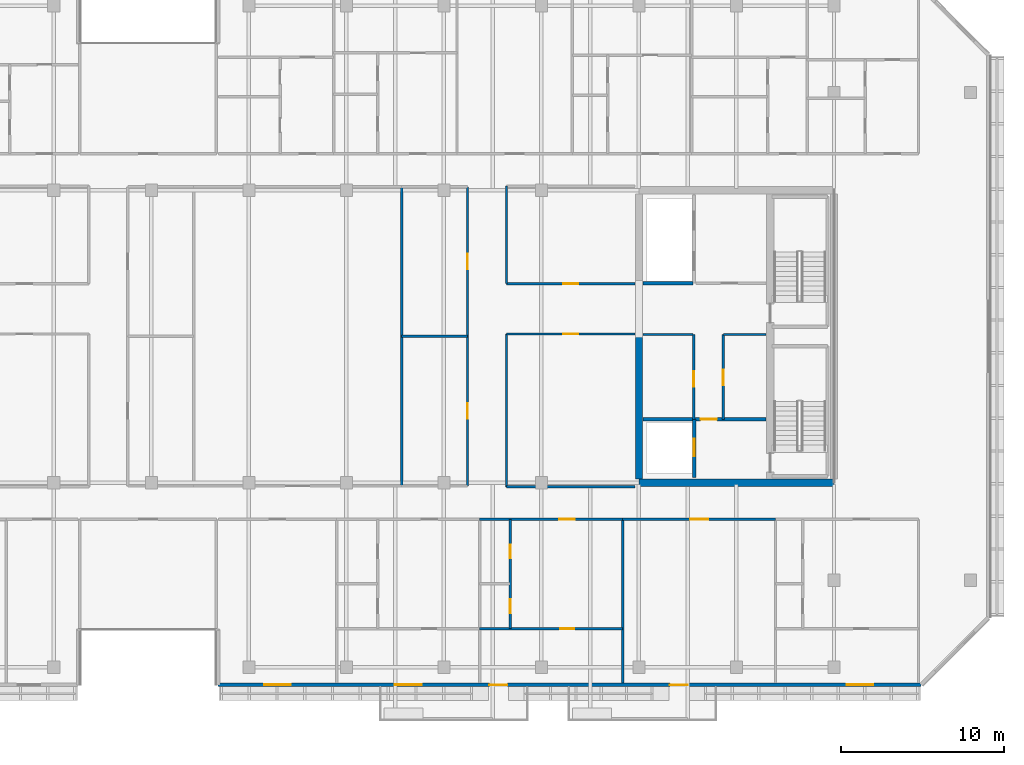
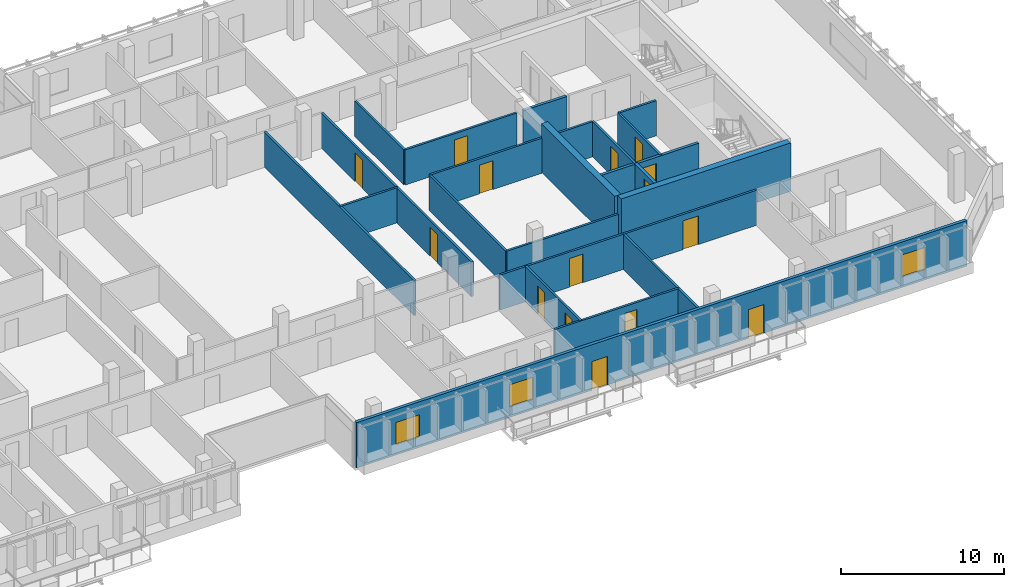
# One storey, part 8 of 17: 24 walls, 15 doors, 3 windows, 18 openings.
"""IFC4 building model written with IfcOpenShell, lengths in metres."""

from ifc_helpers import new_model, si_unit, direction, frame, frame_2d, origin, place, context, subcontext, project, spatial, rectangle, extrude, material, layer, layer_set, type_object, element, fill, save


model = new_model("IFC4")

# Units and contexts
model_context = context("Model", 3, precision=1e-05, world=origin(), true_north=direction((0.0, 1.0)))
body_context = subcontext(model_context, "Body", "Model", "MODEL_VIEW")
ifc_project = project(units=[si_unit("LENGTHUNIT", "METRE"), si_unit("AREAUNIT", "SQUARE_METRE"), si_unit("VOLUMEUNIT", "CUBIC_METRE"), si_unit("PLANEANGLEUNIT", "RADIAN"), si_unit("MASSUNIT", "GRAM", prefix="KILO")], contexts=[model_context])

# Site, building, storey
site_placement = place(None, origin())
site = spatial("IfcSite", under=ifc_project, at=site_placement, CompositionType="ELEMENT")
building_placement = place(site_placement, origin())
building = spatial("IfcBuilding", under=site, at=building_placement, Name="Tanjung Sevakor Pilgrim Tower", CompositionType="ELEMENT")
storey_placement = place(building_placement, frame((0.0, 0.0, 219.1201171875)))
storey = spatial("IfcBuildingStorey", under=building, at=storey_placement, Name="L61", CompositionType="ELEMENT", Elevation=219.1201171875)

# Walls
ifc_material_1 = material(Name="Concrete C60/75", Category="concrete")
ifc_layer_1 = layer(ifc_material_1, 0.449951171875)
ifc_layer_set_1 = layer_set([ifc_layer_1], Name="WALL-CW-450")
wall_type_1 = type_object("IfcWallType", Name="WALL-CW-450", PredefinedType="SHEAR", material=ifc_layer_set_1)
wall_1_placement = place(storey_placement, frame((78.0, 24.60009765625, 0.0), z_axis=(0.0, 0.0, 1.0), x_axis=(1.0, 0.0, 0.0)))
element("IfcWall", 1, at=wall_1_placement, inside=storey, type_object=wall_type_1, Name="L61 E Core South Shear Wall", PredefinedType="SHEAR", context=body_context, shape_type="SweptSolid", body=[
    extrude(rectangle(XDim=12.0, YDim=0.449951171875, at=frame_2d((6.0, 0.0))), origin(), (0.0, 0.0, 1.0), 3.6298828125),
])
wall_2_placement = place(storey_placement, frame((78.0, 24.824951171875, 0.0), z_axis=(0.0, 0.0, 1.0), x_axis=(0.0, 1.0, 0.0)))
element("IfcWall", 2, at=wall_2_placement, inside=storey, type_object=wall_type_1, Name="L61 E Core Inner Shear Wall South", PredefinedType="SHEAR", context=body_context, shape_type="SweptSolid", body=[
    extrude(rectangle(XDim=8.97509765625, YDim=0.449951171875, at=frame_2d((4.487548828125, 0.0))), origin(), (0.0, 0.0, 1.0), 3.6298828125),
])
ifc_material_2 = material(Name="Concrete C40/50", Category="concrete")
ifc_layer_2 = layer(ifc_material_2, 0.14990234375)
ifc_layer_set_2 = layer_set([ifc_layer_2], Name="WT-COMP-150")
wall_type_2 = type_object("IfcWallType", Name="WT-COMP-150", PredefinedType="SOLIDWALL", material=ifc_layer_set_2)
wall_3_placement = place(storey_placement, frame((83.199951171875, 33.719970703125, 0.0), z_axis=(0.0, 0.0, 1.0), x_axis=(1.0, 0.0, 0.0)))
element("IfcWall", 3, at=wall_3_placement, inside=storey, type_object=wall_type_2, Name="L61 Partition IW-L61-012", PredefinedType="SOLIDWALL", context=body_context, shape_type="SweptSolid", body=[
    extrude(rectangle(XDim=2.630126953125, YDim=0.14990234375, at=frame_2d((1.31494140625, 0.0))), origin(), (0.0, 0.0, 1.0), 2.6298828125),
])

# Wall, opening, door
wall_4_placement = place(storey_placement, frame((83.179931640625, 28.5, 0.0), z_axis=(0.0, 0.0, 1.0), x_axis=(0.0, 1.0, 0.0)))
wall_4 = element("IfcWall", 4, at=wall_4_placement, inside=storey, type_object=wall_type_2, Name="L61 Partition IW-L61-013", PredefinedType="SOLIDWALL", context=body_context, shape_type="SweptSolid", body=[
    extrude(rectangle(XDim=5.219970703125, YDim=0.14990234375, at=frame_2d((2.60986328125, 0.0))), origin(), (0.0, 0.0, 1.0), 2.6298828125),
])
opening_1_placement = place(wall_4_placement, frame((2.10009765625, 0.0, 0.0)))
opening_1 = element("IfcOpeningElement", 5, at=opening_1_placement, cuts=wall_4, Name="Opening ID-FD2", PredefinedType="OPENING", context=body_context, shape_type="SweptSolid", body=[
    extrude(rectangle(XDim=0.949951171875, YDim=2.14990234375, at=frame_2d((0.47509765625, 1.074951171875))), frame((0.0, 0.0849609375, 0.0), z_axis=(0.0, -1.0, 0.0), x_axis=(1.0, 0.0, 0.0)), (0.0, 0.0, 1.0), 0.169921875),
])
ifc_material_3 = material(Name="Fire-Rated Timber", Category="wood")
door_type_1 = type_object("IfcDoorType", Name="DT-FIRE-950", OperationType="NOTDEFINED", PredefinedType="DOOR", material=ifc_material_3)
door_1_placement = place(opening_1_placement, origin())
door_1 = element("IfcDoor", 6, at=door_1_placement, inside=storey, type_object=door_type_1, Name="L61 Housekeeping Pantry Door", OperationType="SINGLE_SWING_LEFT", OverallHeight=2.14990234375, OverallWidth=0.949951171875, PredefinedType="DOOR", context=body_context, shape_type="SweptSolid", body=[
    extrude(rectangle(XDim=0.949951171875, YDim=2.14990234375, at=frame_2d((0.47509765625, 1.074951171875))), frame((0.0, 0.02490234375, 0.0), z_axis=(0.0, -1.0, 0.0), x_axis=(1.0, 0.0, 0.0)), (0.0, 0.0, 1.0), 0.050048828125),
])
fill(opening_1, door_1)

# Wall
wall_5_placement = place(storey_placement, frame((78.2451171875, 33.719970703125, 0.0), z_axis=(0.0, 0.0, 1.0), x_axis=(1.0, 0.0, 0.0)))
element("IfcWall", 7, at=wall_5_placement, inside=storey, type_object=wall_type_2, Name="L61 Partition IW-L61-014", PredefinedType="SOLIDWALL", context=body_context, shape_type="SweptSolid", body=[
    extrude(rectangle(XDim=3.074951171875, YDim=0.14990234375, at=frame_2d((1.53759765625, 0.0))), origin(), (0.0, 0.0, 1.0), 2.6298828125),
])

# Wall, opening, door
wall_6_placement = place(storey_placement, frame((81.3798828125, 28.5, 0.0), z_axis=(0.0, 0.0, 1.0), x_axis=(0.0, 1.0, 0.0)))
wall_6 = element("IfcWall", 8, at=wall_6_placement, inside=storey, type_object=wall_type_2, Name="L61 Partition IW-L61-015", PredefinedType="SOLIDWALL", context=body_context, shape_type="SweptSolid", body=[
    extrude(rectangle(XDim=5.219970703125, YDim=0.14990234375, at=frame_2d((2.60986328125, 0.0))), origin(), (0.0, 0.0, 1.0), 2.6298828125),
])
opening_2_placement = place(wall_6_placement, frame((2.0, 0.0, 0.0)))
opening_2 = element("IfcOpeningElement", 9, at=opening_2_placement, cuts=wall_6, Name="Opening ID-FD2", PredefinedType="OPENING", context=body_context, shape_type="SweptSolid", body=[
    extrude(rectangle(XDim=0.949951171875, YDim=2.14990234375, at=frame_2d((0.47509765625, 1.074951171875))), frame((0.0, 0.0849609375, 0.0), z_axis=(0.0, -1.0, 0.0), x_axis=(1.0, 0.0, 0.0)), (0.0, 0.0, 1.0), 0.169921875),
])
door_2_placement = place(opening_2_placement, origin())
door_2 = element("IfcDoor", 10, at=door_2_placement, inside=storey, type_object=door_type_1, Name="L61 Accessible WC Door", OperationType="SINGLE_SWING_RIGHT", OverallHeight=2.14990234375, OverallWidth=0.949951171875, PredefinedType="DOOR", context=body_context, shape_type="SweptSolid", body=[
    extrude(rectangle(XDim=0.949951171875, YDim=2.14990234375, at=frame_2d((0.47509765625, 1.074951171875))), frame((0.0, 0.02490234375, 0.0), z_axis=(0.0, -1.0, 0.0), x_axis=(1.0, 0.0, 0.0)), (0.0, 0.0, 1.0), 0.050048828125),
])
fill(opening_2, door_2)

# Wall
wall_7_placement = place(storey_placement, frame((69.85009765625, 24.35009765625, 0.0), z_axis=(0.0, 0.0, 1.0), x_axis=(1.0, 0.0, 0.0)))
element("IfcWall", 11, at=wall_7_placement, inside=storey, type_object=wall_type_2, Name="L61 Partition IW-L61-025", PredefinedType="SOLIDWALL", context=body_context, shape_type="SweptSolid", body=[
    extrude(rectangle(XDim=7.90478515625, YDim=0.14990234375, at=frame_2d((3.952392578125, 0.0))), origin(), (0.0, 0.0, 1.0), 2.6298828125),
])

# Wall, opening, door
wall_8_placement = place(storey_placement, frame((69.85009765625, 33.75, 0.0), z_axis=(0.0, 0.0, 1.0), x_axis=(1.0, 0.0, 0.0)))
wall_8 = element("IfcWall", 12, at=wall_8_placement, inside=storey, type_object=wall_type_2, Name="L61 Partition IW-L61-026", PredefinedType="SOLIDWALL", context=body_context, shape_type="SweptSolid", body=[
    extrude(rectangle(XDim=7.90478515625, YDim=0.14990234375, at=frame_2d((3.952392578125, 0.0))), origin(), (0.0, 0.0, 1.0), 2.6298828125),
])
opening_3_placement = place(wall_8_placement, frame((3.4775390625, 0.0, 0.0)))
opening_3 = element("IfcOpeningElement", 13, at=opening_3_placement, cuts=wall_8, Name="Opening ID-RM1", PredefinedType="OPENING", context=body_context, shape_type="SweptSolid", body=[
    extrude(rectangle(XDim=0.949951171875, YDim=2.14990234375, at=frame_2d((0.47509765625, 1.074951171875))), frame((0.0, 0.0849609375, 0.0), z_axis=(0.0, -1.0, 0.0), x_axis=(1.0, 0.0, 0.0)), (0.0, 0.0, 1.0), 0.169921875),
])
ifc_material_4 = material(Name="Hardwood Timber", Category="wood")
door_type_2 = type_object("IfcDoorType", Name="DT-INT-950", OperationType="NOTDEFINED", PredefinedType="DOOR", material=ifc_material_4)
door_3_placement = place(opening_3_placement, origin())
door_3 = element("IfcDoor", 14, at=door_3_placement, inside=storey, type_object=door_type_2, Name="L61 East Inboard South Door", OperationType="SINGLE_SWING_RIGHT", OverallHeight=2.14990234375, OverallWidth=0.949951171875, PredefinedType="DOOR", context=body_context, shape_type="SweptSolid", body=[
    extrude(rectangle(XDim=0.949951171875, YDim=2.14990234375, at=frame_2d((0.47509765625, 1.074951171875))), frame((0.0, 0.02490234375, 0.0), z_axis=(0.0, -1.0, 0.0), x_axis=(1.0, 0.0, 0.0)), (0.0, 0.0, 1.0), 0.050048828125),
])
fill(opening_3, door_3)

# Wall
wall_9_placement = place(storey_placement, frame((69.85009765625, 24.35009765625, 0.0), z_axis=(0.0, 0.0, 1.0), x_axis=(0.0, 1.0, 0.0)))
element("IfcWall", 15, at=wall_9_placement, inside=storey, type_object=wall_type_2, Name="L61 Partition IW-L61-027", PredefinedType="SOLIDWALL", context=body_context, shape_type="SweptSolid", body=[
    extrude(rectangle(XDim=9.39990234375, YDim=0.14990234375, at=frame_2d((4.699951171875, 0.0))), origin(), (0.0, 0.0, 1.0), 2.6298828125),
])

# Wall, opening, door
wall_10_placement = place(storey_placement, frame((69.85009765625, 36.85009765625, 0.0), z_axis=(0.0, 0.0, 1.0), x_axis=(1.0, 0.0, 0.0)))
wall_10 = element("IfcWall", 16, at=wall_10_placement, inside=storey, type_object=wall_type_2, Name="L61 Partition IW-L61-028", PredefinedType="SOLIDWALL", context=body_context, shape_type="SweptSolid", body=[
    extrude(rectangle(XDim=7.90478515625, YDim=0.14990234375, at=frame_2d((3.952392578125, 0.0))), origin(), (0.0, 0.0, 1.0), 2.6298828125),
])
opening_4_placement = place(wall_10_placement, frame((3.4775390625, 0.0, 0.0)))
opening_4 = element("IfcOpeningElement", 17, at=opening_4_placement, cuts=wall_10, Name="Opening ID-RM1", PredefinedType="OPENING", context=body_context, shape_type="SweptSolid", body=[
    extrude(rectangle(XDim=0.949951171875, YDim=2.14990234375, at=frame_2d((0.47509765625, 1.074951171875))), frame((0.0, 0.0849609375, 0.0), z_axis=(0.0, -1.0, 0.0), x_axis=(1.0, 0.0, 0.0)), (0.0, 0.0, 1.0), 0.169921875),
])
door_4_placement = place(opening_4_placement, origin())
door_4 = element("IfcDoor", 18, at=door_4_placement, inside=storey, type_object=door_type_2, Name="L61 East Inboard North Door", OperationType="SINGLE_SWING_LEFT", OverallHeight=2.14990234375, OverallWidth=0.949951171875, PredefinedType="DOOR", context=body_context, shape_type="SweptSolid", body=[
    extrude(rectangle(XDim=0.949951171875, YDim=2.14990234375, at=frame_2d((0.47509765625, 1.074951171875))), frame((0.0, 0.02490234375, 0.0), z_axis=(0.0, -1.0, 0.0), x_axis=(1.0, 0.0, 0.0)), (0.0, 0.0, 1.0), 0.050048828125),
])
fill(opening_4, door_4)

# Walls
wall_11_placement = place(storey_placement, frame((69.85009765625, 36.85009765625, 0.0), z_axis=(0.0, 0.0, 1.0), x_axis=(0.0, 1.0, 0.0)))
element("IfcWall", 19, at=wall_11_placement, inside=storey, type_object=wall_type_2, Name="L61 Partition IW-L61-030", PredefinedType="SOLIDWALL", context=body_context, shape_type="SweptSolid", body=[
    extrude(rectangle(XDim=6.0, YDim=0.14990234375, at=frame_2d((3.0, 0.0))), origin(), (0.0, 0.0, 1.0), 2.6298828125),
])
wall_12_placement = place(storey_placement, frame((63.39990234375, 24.39990234375, 0.0), z_axis=(0.0, 0.0, 1.0), x_axis=(0.0, 1.0, 0.0)))
element("IfcWall", 20, at=wall_12_placement, inside=storey, type_object=wall_type_2, Name="L61 Partition IW-L61-039", PredefinedType="SOLIDWALL", context=body_context, shape_type="SweptSolid", body=[
    extrude(rectangle(XDim=18.400146484375, YDim=0.14990234375, at=frame_2d((9.2001953125, 0.0))), origin(), (0.0, 0.0, 1.0), 2.6298828125),
])
wall_13_placement = place(storey_placement, frame((63.39990234375, 33.60009765625, 0.0), z_axis=(0.0, 0.0, 1.0), x_axis=(1.0, 0.0, 0.0)))
element("IfcWall", 21, at=wall_13_placement, inside=storey, type_object=wall_type_2, Name="L61 Partition IW-L61-041", PredefinedType="SOLIDWALL", context=body_context, shape_type="SweptSolid", body=[
    extrude(rectangle(XDim=4.050048828125, YDim=0.14990234375, at=frame_2d((2.02490234375, 0.0))), origin(), (0.0, 0.0, 1.0), 2.6298828125),
])

# Wall, opening, door
wall_14_placement = place(storey_placement, frame((67.449951171875, 24.39990234375, 0.0), z_axis=(0.0, 0.0, 1.0), x_axis=(0.0, 1.0, 0.0)))
wall_14 = element("IfcWall", 22, at=wall_14_placement, inside=storey, type_object=wall_type_2, Name="L61 Partition IW-L61-042", PredefinedType="SOLIDWALL", context=body_context, shape_type="SweptSolid", body=[
    extrude(rectangle(XDim=9.2001953125, YDim=0.14990234375, at=frame_2d((4.60009765625, 0.0))), origin(), (0.0, 0.0, 1.0), 2.6298828125),
])
opening_5_placement = place(wall_14_placement, frame((4.125, 0.0, 0.0)))
opening_5 = element("IfcOpeningElement", 23, at=opening_5_placement, cuts=wall_14, Name="Opening ID-RM1", PredefinedType="OPENING", context=body_context, shape_type="SweptSolid", body=[
    extrude(rectangle(XDim=0.949951171875, YDim=2.14990234375, at=frame_2d((0.47509765625, 1.074951171875))), frame((0.0, 0.0849609375, 0.0), z_axis=(0.0, -1.0, 0.0), x_axis=(1.0, 0.0, 0.0)), (0.0, 0.0, 1.0), 0.169921875),
])
door_5_placement = place(opening_5_placement, origin())
door_5 = element("IfcDoor", 24, at=door_5_placement, inside=storey, type_object=door_type_2, Name="L61 Female Ablution Door", OperationType="SINGLE_SWING_LEFT", OverallHeight=2.14990234375, OverallWidth=0.949951171875, PredefinedType="DOOR", context=body_context, shape_type="SweptSolid", body=[
    extrude(rectangle(XDim=0.949951171875, YDim=2.14990234375, at=frame_2d((0.47509765625, 1.074951171875))), frame((0.0, 0.02490234375, 0.0), z_axis=(0.0, -1.0, 0.0), x_axis=(1.0, 0.0, 0.0)), (0.0, 0.0, 1.0), 0.050048828125),
])
fill(opening_5, door_5)

wall_15_placement = place(storey_placement, frame((67.449951171875, 33.60009765625, 0.0), z_axis=(0.0, 0.0, 1.0), x_axis=(0.0, 1.0, 0.0)))
wall_15 = element("IfcWall", 25, at=wall_15_placement, inside=storey, type_object=wall_type_2, Name="L61 Partition IW-L61-044", PredefinedType="SOLIDWALL", context=body_context, shape_type="SweptSolid", body=[
    extrude(rectangle(XDim=9.199951171875, YDim=0.14990234375, at=frame_2d((4.60009765625, 0.0))), origin(), (0.0, 0.0, 1.0), 2.6298828125),
])
opening_6_placement = place(wall_15_placement, frame((4.125, 0.0, 0.0)))
opening_6 = element("IfcOpeningElement", 26, at=opening_6_placement, cuts=wall_15, Name="Opening ID-RM1", PredefinedType="OPENING", context=body_context, shape_type="SweptSolid", body=[
    extrude(rectangle(XDim=0.949951171875, YDim=2.14990234375, at=frame_2d((0.47509765625, 1.074951171875))), frame((0.0, 0.0849609375, 0.0), z_axis=(0.0, -1.0, 0.0), x_axis=(1.0, 0.0, 0.0)), (0.0, 0.0, 1.0), 0.169921875),
])
door_6_placement = place(opening_6_placement, origin())
door_6 = element("IfcDoor", 27, at=door_6_placement, inside=storey, type_object=door_type_2, Name="L61 Female Washroom Door", OperationType="SINGLE_SWING_RIGHT", OverallHeight=2.14990234375, OverallWidth=0.949951171875, PredefinedType="DOOR", context=body_context, shape_type="SweptSolid", body=[
    extrude(rectangle(XDim=0.949951171875, YDim=2.14990234375, at=frame_2d((0.47509765625, 1.074951171875))), frame((0.0, 0.02490234375, 0.0), z_axis=(0.0, -1.0, 0.0), x_axis=(1.0, 0.0, 0.0)), (0.0, 0.0, 1.0), 0.050048828125),
])
fill(opening_6, door_6)

# Wall
wall_16_placement = place(storey_placement, frame((76.9970703125, 12.27001953125, 0.0), z_axis=(0.0, 0.0, 1.0), x_axis=(0.0, 1.0, 0.0)))
element("IfcWall", 28, at=wall_16_placement, inside=storey, type_object=wall_type_2, Name="L61 Partition IW-L61-069", PredefinedType="SOLIDWALL", context=body_context, shape_type="SweptSolid", body=[
    extrude(rectangle(XDim=10.080078125, YDim=0.14990234375, at=frame_2d((5.0400390625, 0.0))), origin(), (0.0, 0.0, 1.0), 2.6298828125),
])

# Wall, opening, door
wall_17_placement = place(storey_placement, frame((68.19921875, 22.35009765625, 0.0), z_axis=(0.0, 0.0, 1.0), x_axis=(1.0, 0.0, 0.0)))
wall_17 = element("IfcWall", 29, at=wall_17_placement, inside=storey, type_object=wall_type_2, Name="L61 Partition IW-L61-073", PredefinedType="SOLIDWALL", context=body_context, shape_type="SweptSolid", body=[
    extrude(rectangle(XDim=8.7978515625, YDim=0.14990234375, at=frame_2d((4.39892578125, 0.0))), origin(), (0.0, 0.0, 1.0), 2.6298828125),
])
opening_7_placement = place(wall_17_placement, frame((4.904296875, 0.0, 0.0)))
opening_7 = element("IfcOpeningElement", 30, at=opening_7_placement, cuts=wall_17, Name="Opening ID-FD2", PredefinedType="OPENING", context=body_context, shape_type="SweptSolid", body=[
    extrude(rectangle(XDim=0.949951171875, YDim=2.14990234375, at=frame_2d((0.47509765625, 1.074951171875))), frame((0.0, 0.0849609375, 0.0), z_axis=(0.0, -1.0, 0.0), x_axis=(1.0, 0.0, 0.0)), (0.0, 0.0, 1.0), 0.169921875),
])
door_7_placement = place(opening_7_placement, origin())
door_7 = element("IfcDoor", 31, at=door_7_placement, inside=storey, type_object=door_type_1, Name="Residence Entrance", OperationType="SINGLE_SWING_LEFT", OverallHeight=2.14990234375, OverallWidth=0.949951171875, PredefinedType="DOOR", context=body_context, shape_type="SweptSolid", body=[
    extrude(rectangle(XDim=0.949951171875, YDim=2.14990234375, at=frame_2d((0.47509765625, 1.074951171875))), frame((0.0, 0.02490234375, 0.0), z_axis=(0.0, -1.0, 0.0), x_axis=(1.0, 0.0, 0.0)), (0.0, 0.0, 1.0), 0.050048828125),
])
fill(opening_7, door_7)

wall_18_placement = place(storey_placement, frame((76.9970703125, 22.35009765625, 0.0), z_axis=(0.0, 0.0, 1.0), x_axis=(1.0, 0.0, 0.0)))
wall_18 = element("IfcWall", 32, at=wall_18_placement, inside=storey, type_object=wall_type_2, Name="L61 Partition IW-L61-075", PredefinedType="SOLIDWALL", context=body_context, shape_type="SweptSolid", body=[
    extrude(rectangle(XDim=9.40478515625, YDim=0.14990234375, at=frame_2d((4.702392578125, 0.0))), origin(), (0.0, 0.0, 1.0), 2.6298828125),
])
opening_8_placement = place(wall_18_placement, frame((4.15234375, 0.0, 0.0)))
opening_8 = element("IfcOpeningElement", 33, at=opening_8_placement, cuts=wall_18, Name="Opening ID-FD0", PredefinedType="OPENING", context=body_context, shape_type="SweptSolid", body=[
    extrude(rectangle(XDim=1.10009765625, YDim=2.14990234375, at=frame_2d((0.550048828125, 1.074951171875))), frame((0.0, 0.0849609375, 0.0), z_axis=(0.0, -1.0, 0.0), x_axis=(1.0, 0.0, 0.0)), (0.0, 0.0, 1.0), 0.169921875),
])
ifc_material_5 = material(Name="Fire-Rated Steel S355J2", Category="steel")
door_type_3 = type_object("IfcDoorType", Name="DT-FIRE-1100", OperationType="NOTDEFINED", PredefinedType="DOOR", material=ifc_material_5)
door_8_placement = place(opening_8_placement, origin())
door_8 = element("IfcDoor", 34, at=door_8_placement, inside=storey, type_object=door_type_3, Name="Council Room Door", OperationType="SINGLE_SWING_RIGHT", OverallHeight=2.14990234375, OverallWidth=1.10009765625, PredefinedType="DOOR", context=body_context, shape_type="SweptSolid", body=[
    extrude(rectangle(XDim=1.10009765625, YDim=2.14990234375, at=frame_2d((0.550048828125, 1.074951171875))), frame((0.0, 0.02490234375, 0.0), z_axis=(0.0, -1.0, 0.0), x_axis=(1.0, 0.0, 0.0)), (0.0, 0.0, 1.0), 0.050048828125),
])
fill(opening_8, door_8)

# Wall, openings, doors, windows
ifc_material_6 = material(Name="Precast concrete C45/55", Category="concrete")
ifc_layer_3 = layer(ifc_material_6, 0.219970703125)
ifc_layer_set_3 = layer_set([ifc_layer_3], Name="WT-EW-STN4")
wall_type_3 = type_object("IfcWallType", Name="WT-EW-STN4", PredefinedType="SOLIDWALL", material=ifc_layer_set_3)
wall_19_placement = place(storey_placement, frame((52.110107421875, 12.159912109375, 0.0), z_axis=(0.0, 0.0, 1.0), x_axis=(1.0, 0.0, 0.0)))
wall_19 = element("IfcWall", 35, at=wall_19_placement, inside=storey, type_object=wall_type_3, Name="L61 MAIN Exterior Wall 5", PredefinedType="SOLIDWALL", context=body_context, shape_type="SweptSolid", body=[
    extrude(rectangle(XDim=43.244384765625, YDim=0.219970703125, at=frame_2d((21.6220703125, 0.0))), origin(), (0.0, 0.0, 1.0), 3.409912109375),
])
opening_9_placement = place(wall_19_placement, frame((16.68994140625, 0.0, 0.0)))
opening_9 = element("IfcOpeningElement", 36, at=opening_9_placement, cuts=wall_19, Name="Opening ED-BAL-1100", PredefinedType="OPENING", context=body_context, shape_type="SweptSolid", body=[
    extrude(rectangle(XDim=1.10009765625, YDim=2.14990234375, at=frame_2d((0.550048828125, 1.074951171875))), frame((0.0, 0.119873046875, 0.0), z_axis=(0.0, -1.0, 0.0), x_axis=(1.0, 0.0, 0.0)), (0.0, 0.0, 1.0), 0.239990234375),
])
opening_10_placement = place(wall_19_placement, frame((27.7900390625, 0.0, 0.0)))
opening_10 = element("IfcOpeningElement", 37, at=opening_10_placement, cuts=wall_19, Name="Opening ED-BAL-1100", PredefinedType="OPENING", context=body_context, shape_type="SweptSolid", body=[
    extrude(rectangle(XDim=1.10009765625, YDim=2.14990234375, at=frame_2d((0.550048828125, 1.074951171875))), frame((0.0, 0.119873046875, 0.0), z_axis=(0.0, -1.0, 0.0), x_axis=(1.0, 0.0, 0.0)), (0.0, 0.0, 1.0), 0.239990234375),
])
opening_11_placement = place(wall_19_placement, frame((2.82568359375, 0.0, 0.780029296875)))
opening_11 = element("IfcOpeningElement", 38, at=opening_11_placement, cuts=wall_19, Name="Opening WN-Z4-1660", PredefinedType="OPENING", context=body_context, shape_type="SweptSolid", body=[
    extrude(rectangle(XDim=1.64990234375, YDim=1.659912109375, at=frame_2d((0.824951171875, 0.830078125))), frame((0.0, 0.119873046875, 0.0), z_axis=(0.0, -1.0, 0.0), x_axis=(1.0, 0.0, 0.0)), (0.0, 0.0, 1.0), 0.239990234375),
])
opening_12_placement = place(wall_19_placement, frame((10.864990234375, 0.0, 0.780029296875)))
opening_12 = element("IfcOpeningElement", 39, at=opening_12_placement, cuts=wall_19, Name="Opening WN-Z4-1660", PredefinedType="OPENING", context=body_context, shape_type="SweptSolid", body=[
    extrude(rectangle(XDim=1.64990234375, YDim=1.659912109375, at=frame_2d((0.824951171875, 0.830078125))), frame((0.0, 0.119873046875, 0.0), z_axis=(0.0, -1.0, 0.0), x_axis=(1.0, 0.0, 0.0)), (0.0, 0.0, 1.0), 0.239990234375),
])
opening_13_placement = place(wall_19_placement, frame((38.666015625, 0.0, 0.780029296875)))
opening_13 = element("IfcOpeningElement", 40, at=opening_13_placement, cuts=wall_19, Name="Opening WN-Z4-1660", PredefinedType="OPENING", context=body_context, shape_type="SweptSolid", body=[
    extrude(rectangle(XDim=1.64990234375, YDim=1.659912109375, at=frame_2d((0.824951171875, 0.830078125))), frame((0.0, 0.119873046875, 0.0), z_axis=(0.0, -1.0, 0.0), x_axis=(1.0, 0.0, 0.0)), (0.0, 0.0, 1.0), 0.239990234375),
])
ifc_material_7 = material(Name="Anodised Aluminium and Laminated Glass", Category="aluminium")
door_type_4 = type_object("IfcDoorType", Name="DTYP-ED-BAL-1100", OperationType="NOTDEFINED", PredefinedType="DOOR", material=ifc_material_7)
door_9_placement = place(opening_9_placement, frame((1.10009765625, 0.0, 0.0), z_axis=(0.0, 0.0, 1.0), x_axis=(-1.0, 0.0, 0.0)))
door_9 = element("IfcDoor", 41, at=door_9_placement, inside=storey, type_object=door_type_4, Name="L61 Balcony Door MAIN-S2", OperationType="SINGLE_SWING_RIGHT", OverallHeight=2.14990234375, OverallWidth=1.10009765625, PredefinedType="DOOR", context=body_context, shape_type="SweptSolid", body=[
    extrude(rectangle(XDim=1.10009765625, YDim=2.14990234375, at=frame_2d((0.550048828125, 1.074951171875))), frame((0.0, 0.02490234375, 0.0), z_axis=(0.0, -1.0, 0.0), x_axis=(1.0, 0.0, 0.0)), (0.0, 0.0, 1.0), 0.050048828125),
])
fill(opening_9, door_9)
door_10_placement = place(opening_10_placement, frame((1.10009765625, 0.0, 0.0), z_axis=(0.0, 0.0, 1.0), x_axis=(-1.0, 0.0, 0.0)))
door_10 = element("IfcDoor", 42, at=door_10_placement, inside=storey, type_object=door_type_4, Name="L61 Balcony Door MAIN-S3", OperationType="SINGLE_SWING_LEFT", OverallHeight=2.14990234375, OverallWidth=1.10009765625, PredefinedType="DOOR", context=body_context, shape_type="SweptSolid", body=[
    extrude(rectangle(XDim=1.10009765625, YDim=2.14990234375, at=frame_2d((0.550048828125, 1.074951171875))), frame((0.0, 0.02490234375, 0.0), z_axis=(0.0, -1.0, 0.0), x_axis=(1.0, 0.0, 0.0)), (0.0, 0.0, 1.0), 0.050048828125),
])
fill(opening_10, door_10)
ifc_material_8 = material(Name="Thermally Broken Aluminium and Low-E Glass", Category="aluminium")
window_type = type_object("IfcWindowType", Name="WTYP-WN-Z4-1660", PartitioningType="DOUBLE_PANEL_VERTICAL", PredefinedType="WINDOW", material=ifc_material_8)
window_1_placement = place(opening_11_placement, origin())
window_1 = element("IfcWindow", 43, at=window_1_placement, inside=storey, type_object=window_type, Name="L61 Facade Window 01", OverallHeight=1.659912109375, OverallWidth=1.64990234375, PartitioningType="SINGLE_PANEL", PredefinedType="WINDOW", context=body_context, shape_type="SweptSolid", body=[
    extrude(rectangle(XDim=1.64990234375, YDim=1.659912109375, at=frame_2d((0.824951171875, 0.830078125))), frame((0.0, 0.030029296875, 0.0), z_axis=(0.0, -1.0, 0.0), x_axis=(1.0, 0.0, 0.0)), (0.0, 0.0, 1.0), 0.06005859375),
])
fill(opening_11, window_1)
window_2_placement = place(opening_12_placement, origin())
window_2 = element("IfcWindow", 44, at=window_2_placement, inside=storey, type_object=window_type, Name="L61 Facade Window 02", OverallHeight=1.659912109375, OverallWidth=1.64990234375, PartitioningType="SINGLE_PANEL", PredefinedType="WINDOW", context=body_context, shape_type="SweptSolid", body=[
    extrude(rectangle(XDim=1.64990234375, YDim=1.659912109375, at=frame_2d((0.824951171875, 0.830078125))), frame((0.0, 0.030029296875, 0.0), z_axis=(0.0, -1.0, 0.0), x_axis=(1.0, 0.0, 0.0)), (0.0, 0.0, 1.0), 0.06005859375),
])
fill(opening_12, window_2)
window_3_placement = place(opening_13_placement, origin())
window_3 = element("IfcWindow", 45, at=window_3_placement, inside=storey, type_object=window_type, Name="L61 Facade Window 03", OverallHeight=1.659912109375, OverallWidth=1.64990234375, PartitioningType="SINGLE_PANEL", PredefinedType="WINDOW", context=body_context, shape_type="SweptSolid", body=[
    extrude(rectangle(XDim=1.64990234375, YDim=1.659912109375, at=frame_2d((0.824951171875, 0.830078125))), frame((0.0, 0.030029296875, 0.0), z_axis=(0.0, -1.0, 0.0), x_axis=(1.0, 0.0, 0.0)), (0.0, 0.0, 1.0), 0.06005859375),
])
fill(opening_13, window_3)

# Wall, opening, door
ifc_material_9 = material(Name="Concrete C40/50", Category="concrete")
ifc_layer_4 = layer(ifc_material_9, 0.199951171875)
ifc_layer_set_4 = layer_set([ifc_layer_4], Name="WT-FPRT-200")
wall_type_4 = type_object("IfcWallType", Name="WT-FPRT-200", PredefinedType="SOLIDWALL", material=ifc_layer_set_4)
wall_20_placement = place(storey_placement, frame((81.39990234375, 24.919921875, 0.0), z_axis=(0.0, 0.0, 1.0), x_axis=(0.0, 1.0, 0.0)))
wall_20 = element("IfcWall", 46, at=wall_20_placement, inside=storey, type_object=wall_type_4, Name="L61 Partition IW-L61-010", PredefinedType="SOLIDWALL", context=body_context, shape_type="SweptSolid", body=[
    extrude(rectangle(XDim=3.580078125, YDim=0.199951171875, at=frame_2d((1.7900390625, 0.0))), origin(), (0.0, 0.0, 1.0), 2.6298828125),
])
opening_14_placement = place(wall_20_placement, frame((1.300048828125, 0.0, 0.0)))
opening_14 = element("IfcOpeningElement", 47, at=opening_14_placement, cuts=wall_20, Name="Opening LD-1100", PredefinedType="OPENING", context=body_context, shape_type="SweptSolid", body=[
    extrude(rectangle(XDim=1.10009765625, YDim=2.199951171875, at=frame_2d((0.550048828125, 1.10009765625))), frame((0.0, 0.10986328125, 0.0), z_axis=(0.0, -1.0, 0.0), x_axis=(1.0, 0.0, 0.0)), (0.0, 0.0, 1.0), 0.219970703125),
])
ifc_material_10 = material(Name="Brushed Stainless Steel S355J2", Category="steel")
door_type_5 = type_object("IfcDoorType", Name="DT-LIFT-1100", OperationType="SLIDING_TO_LEFT", PredefinedType="DOOR", material=ifc_material_10)
door_11_placement = place(opening_14_placement, origin())
door_11 = element("IfcDoor", 48, at=door_11_placement, inside=storey, type_object=door_type_5, Name="LD-FL-E", OperationType="SLIDING_TO_LEFT", OverallHeight=2.199951171875, OverallWidth=1.10009765625, PredefinedType="DOOR", context=body_context, shape_type="SweptSolid", body=[
    extrude(rectangle(XDim=1.10009765625, YDim=2.199951171875, at=frame_2d((0.550048828125, 1.10009765625))), frame((0.0, 0.02490234375, 0.0), z_axis=(0.0, -1.0, 0.0), x_axis=(1.0, 0.0, 0.0)), (0.0, 0.0, 1.0), 0.050048828125),
])
fill(opening_14, door_11)

wall_21_placement = place(storey_placement, frame((78.2451171875, 28.5, 0.0), z_axis=(0.0, 0.0, 1.0), x_axis=(1.0, 0.0, 0.0)))
wall_21 = element("IfcWall", 49, at=wall_21_placement, inside=storey, type_object=wall_type_4, Name="L61 Partition IW-L61-011", PredefinedType="SOLIDWALL", context=body_context, shape_type="SweptSolid", body=[
    extrude(rectangle(XDim=7.5849609375, YDim=0.199951171875, at=frame_2d((3.79248046875, 0.0))), origin(), (0.0, 0.0, 1.0), 2.6298828125),
])
opening_15_placement = place(wall_21_placement, frame((3.554931640625, 0.0, 0.0)))
opening_15 = element("IfcOpeningElement", 50, at=opening_15_placement, cuts=wall_21, Name="Opening ID-FD1", PredefinedType="OPENING", context=body_context, shape_type="SweptSolid", body=[
    extrude(rectangle(XDim=1.0, YDim=2.14990234375, at=frame_2d((0.5, 1.074951171875))), frame((0.0, 0.10986328125, 0.0), z_axis=(0.0, -1.0, 0.0), x_axis=(1.0, 0.0, 0.0)), (0.0, 0.0, 1.0), 0.219970703125),
])
ifc_material_11 = material(Name="Fire-Rated Steel S355J2", Category="steel")
door_type_6 = type_object("IfcDoorType", Name="DT-FIRE-1000", OperationType="NOTDEFINED", PredefinedType="DOOR", material=ifc_material_11)
door_12_placement = place(opening_15_placement, origin())
door_12 = element("IfcDoor", 51, at=door_12_placement, inside=storey, type_object=door_type_6, Name="Fire Lobby Door E", OperationType="SINGLE_SWING_RIGHT", OverallHeight=2.14990234375, OverallWidth=1.0, PredefinedType="DOOR", context=body_context, shape_type="SweptSolid", body=[
    extrude(rectangle(XDim=1.0, YDim=2.14990234375, at=frame_2d((0.5, 1.074951171875))), frame((0.0, 0.02490234375, 0.0), z_axis=(0.0, -1.0, 0.0), x_axis=(1.0, 0.0, 0.0)), (0.0, 0.0, 1.0), 0.050048828125),
])
fill(opening_15, door_12)

# Wall
wall_22_placement = place(storey_placement, frame((78.2451171875, 36.8798828125, 0.0), z_axis=(0.0, 0.0, 1.0), x_axis=(1.0, 0.0, 0.0)))
element("IfcWall", 52, at=wall_22_placement, inside=storey, type_object=wall_type_4, Name="L61 Partition IW-L61-017", PredefinedType="SOLIDWALL", context=body_context, shape_type="SweptSolid", body=[
    extrude(rectangle(XDim=3.074951171875, YDim=0.199951171875, at=frame_2d((1.53759765625, 0.0))), origin(), (0.0, 0.0, 1.0), 2.6298828125),
])

# Wall, openings, doors
ifc_material_12 = material(Name="Gypsum Board Partition", Category="gypsum board")
ifc_layer_5 = layer(ifc_material_12, 0.14990234375)
ifc_layer_set_5 = layer_set([ifc_layer_5], Name="WT-PART-150")
wall_type_5 = type_object("IfcWallType", Name="WT-PART-150", PredefinedType="PARTITIONING", material=ifc_layer_set_5)
wall_23_placement = place(storey_placement, frame((70.080078125, 15.623046875, 0.0), z_axis=(0.0, 0.0, 1.0), x_axis=(0.0, 1.0, 0.0)))
wall_23 = element("IfcWall", 53, at=wall_23_placement, inside=storey, type_object=wall_type_5, Name="L61 Partition IW-L61-071", PredefinedType="PARTITIONING", context=body_context, shape_type="SweptSolid", body=[
    extrude(rectangle(XDim=6.72705078125, YDim=0.14990234375, at=frame_2d((3.363525390625, 0.0))), origin(), (0.0, 0.0, 1.0), 2.6298828125),
])
opening_16_placement = place(wall_23_placement, frame((0.9541015625, 0.0, 0.0)))
opening_16 = element("IfcOpeningElement", 54, at=opening_16_placement, cuts=wall_23, Name="Opening ID-WC1", PredefinedType="OPENING", context=body_context, shape_type="SweptSolid", body=[
    extrude(rectangle(XDim=0.85009765625, YDim=2.10009765625, at=frame_2d((0.425048828125, 1.050048828125))), frame((0.0, 0.0849609375, 0.0), z_axis=(0.0, -1.0, 0.0), x_axis=(1.0, 0.0, 0.0)), (0.0, 0.0, 1.0), 0.169921875),
])
opening_17_placement = place(wall_23_placement, frame((4.317626953125, 0.0, 0.0)))
opening_17 = element("IfcOpeningElement", 55, at=opening_17_placement, cuts=wall_23, Name="Opening ID-WC1", PredefinedType="OPENING", context=body_context, shape_type="SweptSolid", body=[
    extrude(rectangle(XDim=0.85009765625, YDim=2.10009765625, at=frame_2d((0.425048828125, 1.050048828125))), frame((0.0, 0.0849609375, 0.0), z_axis=(0.0, -1.0, 0.0), x_axis=(1.0, 0.0, 0.0)), (0.0, 0.0, 1.0), 0.169921875),
])
ifc_material_13 = material(Name="Moisture-Resistant Timber", Category="wood")
door_type_7 = type_object("IfcDoorType", Name="DT-INT-850", OperationType="NOTDEFINED", PredefinedType="DOOR", material=ifc_material_13)
door_13_placement = place(opening_16_placement, origin())
door_13 = element("IfcDoor", 56, at=door_13_placement, inside=storey, type_object=door_type_7, Name="Residence Bathroom Door", OperationType="SINGLE_SWING_RIGHT", OverallHeight=2.10009765625, OverallWidth=0.85009765625, PredefinedType="DOOR", context=body_context, shape_type="SweptSolid", body=[
    extrude(rectangle(XDim=0.85009765625, YDim=2.10009765625, at=frame_2d((0.425048828125, 1.050048828125))), frame((0.0, 0.02490234375, 0.0), z_axis=(0.0, -1.0, 0.0), x_axis=(1.0, 0.0, 0.0)), (0.0, 0.0, 1.0), 0.050048828125),
])
fill(opening_16, door_13)
door_14_placement = place(opening_17_placement, origin())
door_14 = element("IfcDoor", 57, at=door_14_placement, inside=storey, type_object=door_type_7, Name="Residence Kitchenette Door", OperationType="SINGLE_SWING_LEFT", OverallHeight=2.10009765625, OverallWidth=0.85009765625, PredefinedType="DOOR", context=body_context, shape_type="SweptSolid", body=[
    extrude(rectangle(XDim=0.85009765625, YDim=2.10009765625, at=frame_2d((0.425048828125, 1.050048828125))), frame((0.0, 0.02490234375, 0.0), z_axis=(0.0, -1.0, 0.0), x_axis=(1.0, 0.0, 0.0)), (0.0, 0.0, 1.0), 0.050048828125),
])
fill(opening_17, door_14)

# Wall, opening, door
wall_24_placement = place(storey_placement, frame((68.19921875, 15.623046875, 0.0), z_axis=(0.0, 0.0, 1.0), x_axis=(1.0, 0.0, 0.0)))
wall_24 = element("IfcWall", 58, at=wall_24_placement, inside=storey, type_object=wall_type_5, Name="L61 Partition IW-L61-072", PredefinedType="PARTITIONING", context=body_context, shape_type="SweptSolid", body=[
    extrude(rectangle(XDim=8.7978515625, YDim=0.14990234375, at=frame_2d((4.39892578125, 0.0))), origin(), (0.0, 0.0, 1.0), 2.6298828125),
])
opening_18_placement = place(wall_24_placement, frame((4.954345703125, 0.0, 0.0)))
opening_18 = element("IfcOpeningElement", 59, at=opening_18_placement, cuts=wall_24, Name="Opening ID-WC1", PredefinedType="OPENING", context=body_context, shape_type="SweptSolid", body=[
    extrude(rectangle(XDim=0.85009765625, YDim=2.10009765625, at=frame_2d((0.425048828125, 1.050048828125))), frame((0.0, 0.0849609375, 0.0), z_axis=(0.0, -1.0, 0.0), x_axis=(1.0, 0.0, 0.0)), (0.0, 0.0, 1.0), 0.169921875),
])
door_15_placement = place(opening_18_placement, origin())
door_15 = element("IfcDoor", 60, at=door_15_placement, inside=storey, type_object=door_type_7, Name="Residence Bedroom Door", OperationType="SINGLE_SWING_RIGHT", OverallHeight=2.10009765625, OverallWidth=0.85009765625, PredefinedType="DOOR", context=body_context, shape_type="SweptSolid", body=[
    extrude(rectangle(XDim=0.85009765625, YDim=2.10009765625, at=frame_2d((0.425048828125, 1.050048828125))), frame((0.0, 0.02490234375, 0.0), z_axis=(0.0, -1.0, 0.0), x_axis=(1.0, 0.0, 0.0)), (0.0, 0.0, 1.0), 0.050048828125),
])
fill(opening_18, door_15)

save(model, "model.ifc")
